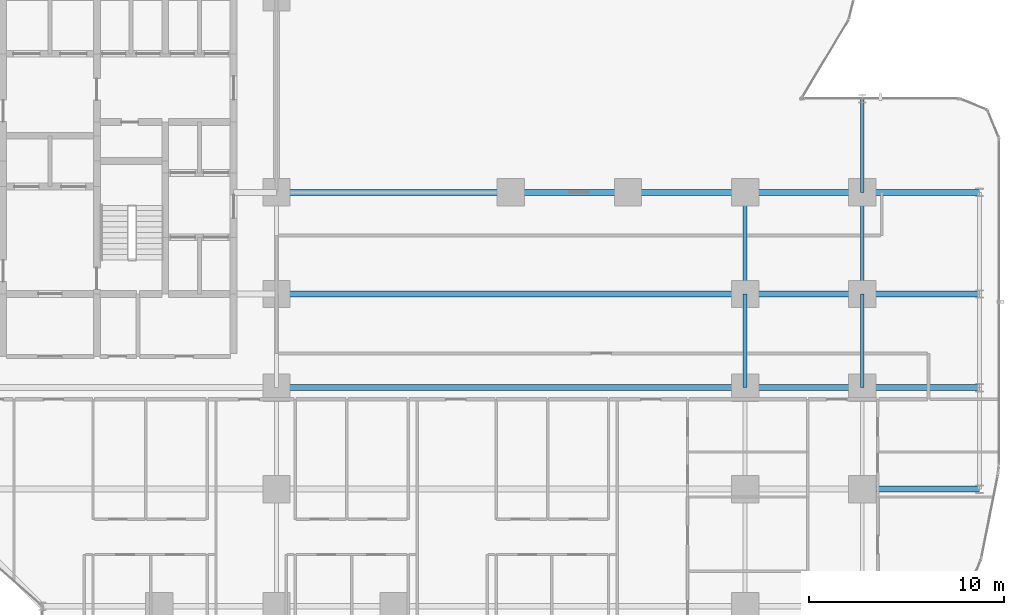
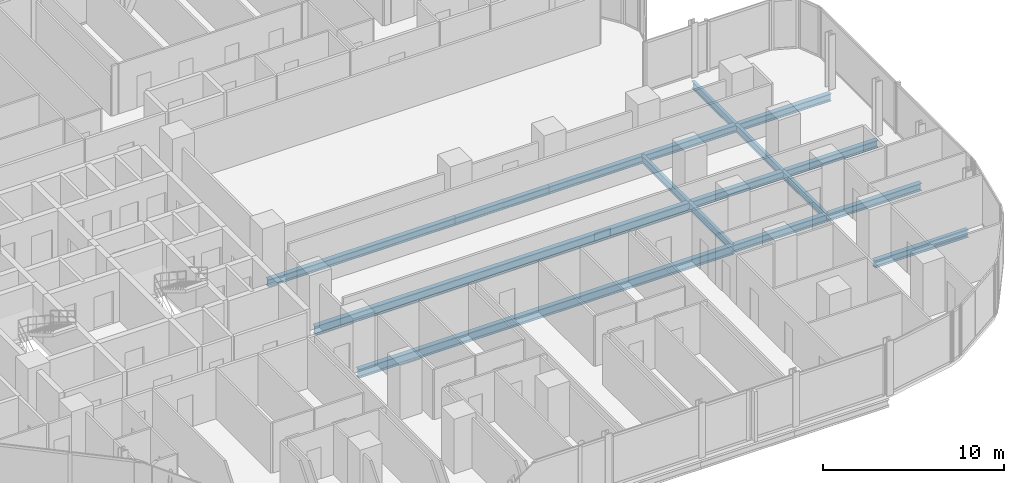
# One storey, part 10 of 35: 17 beams.
"""IFC4 building model written with IfcOpenShell, lengths in metres."""

from ifc_helpers import new_model, si_unit, direction, frame, origin, origin_2d, place, context, subcontext, project, spatial, i_section, extrude, material, material_profile, profile_set, type_object, element, save


model = new_model("IFC4")

# Units and contexts
model_context = context("Model", 3, precision=1e-05, world=origin(), true_north=direction((0.0, 1.0)))
body_context = subcontext(model_context, "Body", "Model", "MODEL_VIEW")
ifc_project = project(units=[si_unit("LENGTHUNIT", "METRE"), si_unit("AREAUNIT", "SQUARE_METRE"), si_unit("VOLUMEUNIT", "CUBIC_METRE"), si_unit("PLANEANGLEUNIT", "RADIAN"), si_unit("MASSUNIT", "GRAM", prefix="KILO")], contexts=[model_context])

# Site, building, storey
site_placement = place(None, origin())
site = spatial("IfcSite", under=ifc_project, at=site_placement, CompositionType="ELEMENT")
building_placement = place(site_placement, origin())
building = spatial("IfcBuilding", under=site, at=building_placement, Name="Keshet Zoharim Tower", CompositionType="ELEMENT")
storey_placement = place(building_placement, frame((0.0, 0.0, 24.0)))
storey = spatial("IfcBuildingStorey", under=building, at=storey_placement, Name="L04", CompositionType="ELEMENT", Elevation=24.0)

# Beams
ifc_material = material(Name="Steel S355", Category="steel")
ifc_material_profile_1 = material_profile(ifc_material, i_section(OverallWidth=0.300048828125, OverallDepth=0.60009765625, WebThickness=0.015380859375, FlangeThickness=0.030029296875, FilletRadius=0.027099609375, at=origin_2d()), Name="HEB600")
ifc_profile_set_1 = profile_set([ifc_material_profile_1], Name="Steel S355")
beam_type_1 = type_object("IfcBeamType", Name="BM-LNG-HB600", PredefinedType="BEAM", material=ifc_profile_set_1)
for number, where, z_axis, x_axis, name in (
    (1, (33.0, 17.89990234375, -0.614990234375), (1.0, 0.0, 0.0), (0.0, 1.0, 0.0), "L04 Primary Girder X-017"),
    (2, (33.0, 22.699951171875, -0.614990234375), (1.0, 0.0, 0.0), (0.0, 1.0, 0.0), "L04 Primary Girder X-020"),
):
    element("IfcBeam", number, at=place(storey_placement, frame(where, z_axis=z_axis, x_axis=x_axis)), inside=storey, type_object=beam_type_1, Name=name, PredefinedType="BEAM", context=body_context, shape_type="SweptSolid", body=[
        extrude(i_section(OverallWidth=0.300048828125, OverallDepth=0.60009765625, WebThickness=0.015380859375, FlangeThickness=0.030029296875, FilletRadius=0.027099609375, at=origin_2d()), origin(), (0.0, 0.0, 1.0), 24.0),
    ])
ifc_material_profile_2 = material_profile(ifc_material, i_section(OverallWidth=0.300048828125, OverallDepth=0.5, WebThickness=0.014404296875, FlangeThickness=0.028076171875, FilletRadius=0.027099609375, at=origin_2d()), Name="HEB500")
ifc_profile_set_2 = profile_set([ifc_material_profile_2], Name="Steel S355")
beam_type_2 = type_object("IfcBeamType", Name="BM-MED-HB500", PredefinedType="BEAM", material=ifc_profile_set_2)
beam_1_placement = place(storey_placement, frame((33.0, 27.89990234375, -0.56494140625), z_axis=(1.0, 0.0, 0.0), x_axis=(0.0, 1.0, 0.0)))
element("IfcBeam", 3, at=beam_1_placement, inside=storey, type_object=beam_type_2, Name="L04 Primary Girder X-023", PredefinedType="BEAM", context=body_context, shape_type="SweptSolid", body=[
    extrude(i_section(OverallWidth=0.300048828125, OverallDepth=0.5, WebThickness=0.014404296875, FlangeThickness=0.028076171875, FilletRadius=0.027099609375, at=origin_2d()), origin(), (0.0, 0.0, 1.0), 12.0),
])
ifc_material_profile_3 = material_profile(ifc_material, i_section(OverallWidth=0.199951171875, OverallDepth=0.5, WebThickness=0.01025390625, FlangeThickness=0.01611328125, FilletRadius=0.02099609375, at=origin_2d()), Name="IPE500")
ifc_profile_set_3 = profile_set([ifc_material_profile_3], Name="Steel S355")
beam_type_3 = type_object("IfcBeamType", Name="BM-PRI-IP500", PredefinedType="BEAM", material=ifc_profile_set_3)
beam_2_placement = place(storey_placement, frame((57.0, 17.89990234375, -0.56494140625), z_axis=(0.0, 1.0, 0.0), x_axis=(-1.0, 0.0, 0.0)))
element("IfcBeam", 4, at=beam_2_placement, inside=storey, type_object=beam_type_3, Name="L04 Primary Girder Y-016", PredefinedType="BEAM", context=body_context, shape_type="SweptSolid", body=[
    extrude(i_section(OverallWidth=0.199951171875, OverallDepth=0.5, WebThickness=0.01025390625, FlangeThickness=0.01611328125, FilletRadius=0.02099609375, at=origin_2d()), origin(), (0.0, 0.0, 1.0), 4.800048828125),
])
beam_3_placement = place(storey_placement, frame((57.0, 22.699951171875, -0.56494140625), z_axis=(0.0, 1.0, 0.0), x_axis=(-1.0, 0.0, 0.0)))
element("IfcBeam", 5, at=beam_3_placement, inside=storey, type_object=beam_type_3, Name="L04 Primary Girder Y-017", PredefinedType="BEAM", context=body_context, shape_type="SweptSolid", body=[
    extrude(i_section(OverallWidth=0.199951171875, OverallDepth=0.5, WebThickness=0.01025390625, FlangeThickness=0.01611328125, FilletRadius=0.02099609375, at=origin_2d()), origin(), (0.0, 0.0, 1.0), 5.199951171875),
])
beam_4_placement = place(storey_placement, frame((63.0, 17.89990234375, -0.56494140625), z_axis=(0.0, 1.0, 0.0), x_axis=(-1.0, 0.0, 0.0)))
element("IfcBeam", 6, at=beam_4_placement, inside=storey, type_object=beam_type_3, Name="L04 Primary Girder Y-020", PredefinedType="BEAM", context=body_context, shape_type="SweptSolid", body=[
    extrude(i_section(OverallWidth=0.199951171875, OverallDepth=0.5, WebThickness=0.01025390625, FlangeThickness=0.01611328125, FilletRadius=0.02099609375, at=origin_2d()), origin(), (0.0, 0.0, 1.0), 4.800048828125),
])
beam_5_placement = place(storey_placement, frame((63.0, 22.699951171875, -0.56494140625), z_axis=(0.0, 1.0, 0.0), x_axis=(-1.0, 0.0, 0.0)))
element("IfcBeam", 7, at=beam_5_placement, inside=storey, type_object=beam_type_3, Name="L04 Primary Girder Y-021", PredefinedType="BEAM", context=body_context, shape_type="SweptSolid", body=[
    extrude(i_section(OverallWidth=0.199951171875, OverallDepth=0.5, WebThickness=0.01025390625, FlangeThickness=0.01611328125, FilletRadius=0.02099609375, at=origin_2d()), origin(), (0.0, 0.0, 1.0), 5.199951171875),
])
beam_6_placement = place(storey_placement, frame((63.0, 27.89990234375, -0.56494140625), z_axis=(0.0, 1.0, 0.0), x_axis=(-1.0, 0.0, 0.0)))
element("IfcBeam", 8, at=beam_6_placement, inside=storey, type_object=beam_type_3, Name="L04 Primary Girder Y-022", PredefinedType="BEAM", context=body_context, shape_type="SweptSolid", body=[
    extrude(i_section(OverallWidth=0.199951171875, OverallDepth=0.5, WebThickness=0.01025390625, FlangeThickness=0.01611328125, FilletRadius=0.02099609375, at=origin_2d()), origin(), (0.0, 0.0, 1.0), 4.800048828125),
])
ifc_material_profile_4 = material_profile(ifc_material, i_section(OverallWidth=0.300048828125, OverallDepth=0.5, WebThickness=0.014404296875, FlangeThickness=0.028076171875, FilletRadius=0.027099609375, at=origin_2d()), Name="HEB500")
ifc_profile_set_4 = profile_set([ifc_material_profile_4], Name="Steel S355")
beam_type_4 = type_object("IfcBeamType", Name="BM-WEB-HB500", PredefinedType="BEAM", material=ifc_profile_set_4)
for number, where, z_axis, x_axis, name in (
    (9, (63.0, 12.699951171875, -0.56494140625), (1.0, 0.0, 0.0), (0.0, 1.0, 0.0), "L04 Primary Girder X-014"),
    (10, (57.0, 17.89990234375, -0.56494140625), (1.0, 0.0, 0.0), (0.0, 1.0, 0.0), "L04 Primary Girder X-018"),
    (11, (63.0, 17.89990234375, -0.56494140625), (1.0, 0.0, 0.0), (0.0, 1.0, 0.0), "L04 Primary Girder X-019"),
    (12, (57.0, 22.699951171875, -0.56494140625), (1.0, 0.0, 0.0), (0.0, 1.0, 0.0), "L04 Primary Girder X-021"),
    (13, (63.0, 22.699951171875, -0.56494140625), (1.0, 0.0, 0.0), (0.0, 1.0, 0.0), "L04 Primary Girder X-022"),
    (14, (45.0, 27.89990234375, -0.56494140625), (1.0, 0.0, 0.0), (0.0, 1.0, 0.0), "L04 Primary Girder X-024"),
    (15, (51.0, 27.89990234375, -0.56494140625), (1.0, 0.0, 0.0), (0.0, 1.0, 0.0), "L04 Primary Girder X-025"),
    (16, (57.0, 27.89990234375, -0.56494140625), (1.0, 0.0, 0.0), (0.0, 1.0, 0.0), "L04 Primary Girder X-026"),
    (17, (63.0, 27.89990234375, -0.56494140625), (1.0, 0.0, 0.0), (0.0, 1.0, 0.0), "L04 Primary Girder X-027"),
):
    element("IfcBeam", number, at=place(storey_placement, frame(where, z_axis=z_axis, x_axis=x_axis)), inside=storey, type_object=beam_type_4, Name=name, PredefinedType="BEAM", context=body_context, shape_type="SweptSolid", body=[
        extrude(i_section(OverallWidth=0.300048828125, OverallDepth=0.5, WebThickness=0.014404296875, FlangeThickness=0.028076171875, FilletRadius=0.027099609375, at=origin_2d()), origin(), (0.0, 0.0, 1.0), 6.0),
    ])

save(model, "model.ifc")
